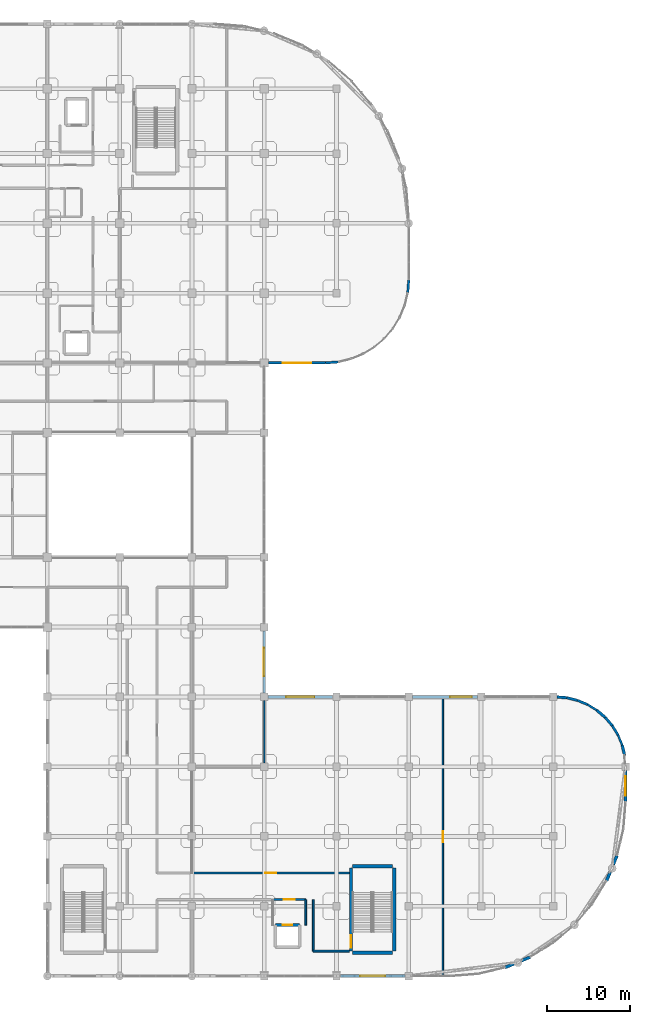
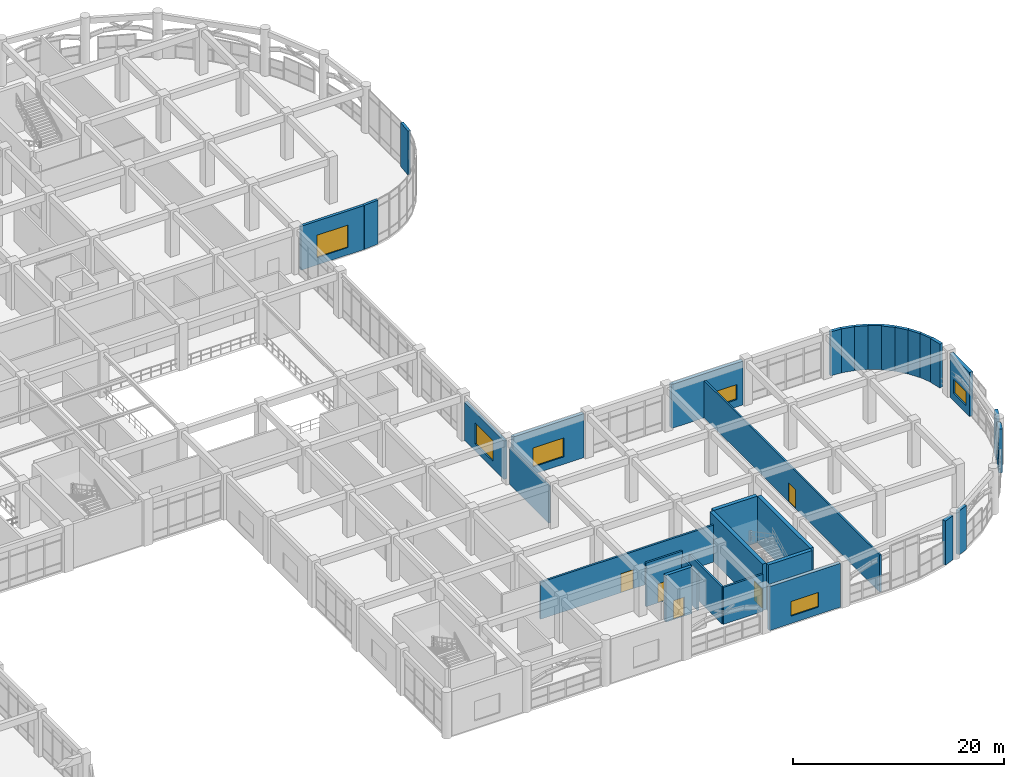
# One storey, part 100 of 114: 33 walls, 6 windows, 5 doors, 11 openings.
"""IFC4 building model written with IfcOpenShell, lengths in metres."""

from ifc_helpers import new_model, si_unit, derived_unit, direction, frame, frame_2d, origin, place, context, subcontext, project, spatial, rectangle, extrude, material, layer, layer_set, type_object, element, fill, save


model = new_model("IFC4")

# Units and contexts
model_context = context("Model", 3, precision=1e-05, world=origin(), true_north=direction((0.0, 1.0)))
body_context = subcontext(model_context, "Body", "Model", "MODEL_VIEW")
ifc_project = project(units=[si_unit("LENGTHUNIT", "METRE"), si_unit("AREAUNIT", "SQUARE_METRE"), si_unit("VOLUMEUNIT", "CUBIC_METRE"), si_unit("PLANEANGLEUNIT", "RADIAN"), si_unit("MASSUNIT", "GRAM", prefix="KILO"), derived_unit("THERMALTRANSMITTANCEUNIT", [(si_unit("MASSUNIT", "GRAM", prefix="KILO"), 1), (si_unit("TIMEUNIT", "SECOND"), -3), (si_unit("THERMODYNAMICTEMPERATUREUNIT", "KELVIN"), -1)])], contexts=[model_context])

# Site, building, storey
site_placement = place(None, origin())
site = spatial("IfcSite", under=ifc_project, at=site_placement, CompositionType="ELEMENT")
building_placement = place(site_placement, origin())
building = spatial("IfcBuilding", under=site, at=building_placement, Name="Qinzheling Arcade Emporium", CompositionType="ELEMENT")
storey_placement = place(building_placement, frame((0.0, 0.0, 6.0)))
storey = spatial("IfcBuildingStorey", under=building, at=storey_placement, Name="L02", CompositionType="ELEMENT", Elevation=6.0)

# Wall, opening, door
ifc_material_1 = material(Name="Double-stud acoustic gypsum board partition")
ifc_layer_1 = layer(ifc_material_1, 0.215087890625, Name="Double-stud acoustic gypsum board partition")
ifc_layer_set_1 = layer_set([ifc_layer_1], Name="Double-stud acoustic gypsum board partition")
wall_type_1 = type_object("IfcWallType", Name="Acoustic Corridor Partition Wall 215", PredefinedType="PARTITIONING", material=ifc_layer_set_1)
wall_1_placement = place(storey_placement, frame((131.5, 9.199951171875, 0.0), z_axis=(0.0, 0.0, 1.0), x_axis=(1.0, 0.0, 0.0)))
wall_1 = element("IfcWall", 1, at=wall_1_placement, inside=storey, type_object=wall_type_1, Name="Interior Wall WL-L02-INT-0286", PredefinedType="PARTITIONING", context=body_context, shape_type="SweptSolid", body=[
    extrude(rectangle(XDim=4.0, YDim=0.215087890625, at=frame_2d((2.0, 0.0))), origin(), (0.0, 0.0, 1.0), 5.06005859375),
])
opening_1_placement = place(wall_1_placement, frame((1.324951171875, 0.0, 0.0)))
opening_1 = element("IfcOpeningElement", 2, at=opening_1_placement, cuts=wall_1, Name="Opening FD05", PredefinedType="OPENING", context=body_context, shape_type="SweptSolid", body=[
    extrude(rectangle(XDim=1.35009765625, YDim=2.199951171875, at=frame_2d((0.675048828125, 1.10009765625))), frame((0.0, 0.11767578125, 0.0), z_axis=(0.0, -1.0, 0.0), x_axis=(1.0, 0.0, 0.0)), (0.0, 0.0, 1.0), 0.235107421875),
])
ifc_material_2 = material(Name="Class B fire-rated stainless-clad door")
door_type_1 = type_object("IfcDoorType", Name="Kitchen Fire-Rated Service Door 1350x2200", OperationType="NOTDEFINED", PredefinedType="DOOR", material=ifc_material_2)
door_1_placement = place(opening_1_placement, origin())
door_1 = element("IfcDoor", 3, at=door_1_placement, inside=storey, type_object=door_type_1, Name="FD05 Interior Door DR-L02-INT-0081", OperationType="SINGLE_SWING_RIGHT", OverallHeight=2.199951171875, OverallWidth=1.35009765625, PredefinedType="DOOR", context=body_context, shape_type="SweptSolid", body=[
    extrude(rectangle(XDim=1.35009765625, YDim=2.199951171875, at=frame_2d((0.675048828125, 1.10009765625))), frame((0.0, 0.02490234375, 0.0), z_axis=(0.0, -1.0, 0.0), x_axis=(1.0, 0.0, 0.0)), (0.0, 0.0, 1.0), 0.050048828125),
])
fill(opening_1, door_1)

wall_2_placement = place(storey_placement, frame((121.800048828125, 12.39990234375, 0.0), z_axis=(0.0, 0.0, 1.0), x_axis=(1.0, 0.0, 0.0)))
wall_2 = element("IfcWall", 4, at=wall_2_placement, inside=storey, type_object=wall_type_1, Name="Interior Wall WL-L02-INT-0359", PredefinedType="PARTITIONING", context=body_context, shape_type="SweptSolid", body=[
    extrude(rectangle(XDim=18.949951171875, YDim=0.215087890625, at=frame_2d((9.47509765625, 0.0))), origin(), (0.0, 0.0, 1.0), 4.294921875),
])
opening_2_placement = place(wall_2_placement, frame((8.800048828125, 0.0, 0.0)))
opening_2 = element("IfcOpeningElement", 5, at=opening_2_placement, cuts=wall_2, Name="Opening FD05", PredefinedType="OPENING", context=body_context, shape_type="SweptSolid", body=[
    extrude(rectangle(XDim=1.35009765625, YDim=2.199951171875, at=frame_2d((0.675048828125, 1.10009765625))), frame((0.0, 0.11767578125, 0.0), z_axis=(0.0, -1.0, 0.0), x_axis=(1.0, 0.0, 0.0)), (0.0, 0.0, 1.0), 0.235107421875),
])
door_2_placement = place(opening_2_placement, origin())
door_2 = element("IfcDoor", 6, at=door_2_placement, inside=storey, type_object=door_type_1, Name="FD05 Interior Door DR-L02-INT-0106", OperationType="SINGLE_SWING_LEFT", OverallHeight=2.199951171875, OverallWidth=1.35009765625, PredefinedType="DOOR", context=body_context, shape_type="SweptSolid", body=[
    extrude(rectangle(XDim=1.35009765625, YDim=2.199951171875, at=frame_2d((0.675048828125, 1.10009765625))), frame((0.0, 0.02490234375, 0.0), z_axis=(0.0, -1.0, 0.0), x_axis=(1.0, 0.0, 0.0)), (0.0, 0.0, 1.0), 0.050048828125),
])
fill(opening_2, door_2)

# Walls
wall_3_placement = place(storey_placement, frame((140.75, 3.0, 0.0), z_axis=(0.0, 0.0, 1.0), x_axis=(-1.0, 0.0, 0.0)))
element("IfcWall", 7, at=wall_3_placement, inside=storey, type_object=wall_type_1, Name="Interior Wall WL-L02-INT-0360", PredefinedType="PARTITIONING", context=body_context, shape_type="SweptSolid", body=[
    extrude(rectangle(XDim=4.35009765625, YDim=0.215087890625, at=frame_2d((2.175048828125, 0.0))), origin(), (0.0, 0.0, 1.0), 4.294921875),
])
wall_4_placement = place(storey_placement, frame((136.39990234375, 3.0, 0.0), z_axis=(0.0, 0.0, 1.0), x_axis=(0.0, 1.0, 0.0)))
element("IfcWall", 8, at=wall_4_placement, inside=storey, type_object=wall_type_1, Name="Interior Wall WL-L02-INT-0361", PredefinedType="PARTITIONING", context=body_context, shape_type="SweptSolid", body=[
    extrude(rectangle(XDim=6.199951171875, YDim=0.215087890625, at=frame_2d((3.10009765625, 0.0))), origin(), (0.0, 0.0, 1.0), 4.294921875),
])
ifc_material_3 = material(Name="Insulated aluminium-clad spandrel wall", Category="aluminium")
ifc_layer_2 = layer(ifc_material_3, 0.260009765625, Name="Insulated aluminium-clad spandrel wall", Category="aluminium")
ifc_layer_set_2 = layer_set([ifc_layer_2], Name="Insulated aluminium-clad spandrel wall")
wall_type_2 = type_object("IfcWallType", Name="Arcade Clerestory Spandrel Wall 260", PredefinedType="STANDARD", material=ifc_layer_set_2)
wall_5_placement = place(storey_placement, frame((169.4140625, 32.68408203125, 0.0), z_axis=(0.0, 0.0, 1.0), x_axis=(0.852713129378, -0.522379477954, 0.0)))
element("IfcWall", 9, at=wall_5_placement, inside=storey, type_object=wall_type_2, Name="Exterior Wall WL-L02-EW-0082", PredefinedType="STANDARD", context=body_context, shape_type="SweptSolid", body=[
    extrude(rectangle(XDim=1.317138671875, YDim=0.260009765625, at=frame_2d((0.65869140625, 0.0))), origin(), (0.0, 0.0, 1.0), 5.090087890625),
])
wall_6_placement = place(storey_placement, frame((173.083984375, 29.013916015625, 0.0), z_axis=(0.0, 0.0, 1.0), x_axis=(0.383076676071, -0.923716547568, 0.0)))
element("IfcWall", 10, at=wall_6_placement, inside=storey, type_object=wall_type_2, Name="Exterior Wall WL-L02-EW-0086", PredefinedType="STANDARD", context=body_context, shape_type="SweptSolid", body=[
    extrude(rectangle(XDim=1.318603515625, YDim=0.260009765625, at=frame_2d((0.6591796875, 0.0))), origin(), (0.0, 0.0, 1.0), 5.090087890625),
])
ifc_material_4 = material(Name="Demountable aluminium-and-gypsum retail partition", Category="aluminium")
ifc_layer_3 = layer(ifc_material_4, 0.1650390625, Name="Demountable aluminium-and-gypsum retail partition", Category="aluminium")
ifc_layer_set_3 = layer_set([ifc_layer_3], Name="Demountable aluminium-and-gypsum retail partition")
wall_type_3 = type_object("IfcWallType", Name="Boutique Demountable Partition Wall 165", PredefinedType="PARTITIONING", material=ifc_layer_set_3)
wall_7_placement = place(storey_placement, frame((130.5, 33.139892578125, 0.0), z_axis=(0.0, 0.0, 1.0), x_axis=(0.0, -1.0, 0.0)))
element("IfcWall", 11, at=wall_7_placement, inside=storey, type_object=wall_type_3, Name="Interior Wall WL-L02-INT-0408", PredefinedType="PARTITIONING", context=body_context, shape_type="SweptSolid", body=[
    extrude(rectangle(XDim=7.47998046875, YDim=0.1650390625, at=frame_2d((3.739990234375, 0.0))), origin(), (0.0, 0.0, 1.0), 4.294921875),
])
ifc_material_5 = material(Name="Celadon glazed terracotta insulated spandrel", Category="masonry")
ifc_layer_4 = layer(ifc_material_5, 0.340087890625, Name="Celadon glazed terracotta insulated spandrel", Category="masonry")
ifc_layer_set_4 = layer_set([ifc_layer_4], Name="Celadon glazed terracotta insulated spandrel")
wall_type_4 = type_object("IfcWallType", Name="Celadon Spandrel Infill Wall 340", PredefinedType="STANDARD", material=ifc_layer_set_4)
wall_8_placement = place(storey_placement, frame((170.537109375, 31.99609375, 0.0), z_axis=(0.0, 0.0, 1.0), x_axis=(0.760548893266, -0.649280664237, 0.0)))
element("IfcWall", 12, at=wall_8_placement, inside=storey, type_object=wall_type_4, Name="Exterior Wall WL-L02-EW-0083", PredefinedType="STANDARD", context=body_context, shape_type="SweptSolid", body=[
    extrude(rectangle(XDim=1.318603515625, YDim=0.340087890625, at=frame_2d((0.6591796875, 0.0))), origin(), (0.0, 0.0, 1.0), 5.090087890625),
])
wall_9_placement = place(storey_placement, frame((173.589111328125, 27.7958984375, 0.0), z_axis=(0.0, 0.0, 1.0), x_axis=(0.233506018754, -0.972355356444, 0.0)))
element("IfcWall", 13, at=wall_9_placement, inside=storey, type_object=wall_type_4, Name="Exterior Wall WL-L02-EW-0087", PredefinedType="STANDARD", context=body_context, shape_type="SweptSolid", body=[
    extrude(rectangle(XDim=1.318359375, YDim=0.340087890625, at=frame_2d((0.6591796875, 0.0))), origin(), (0.0, 0.0, 1.0), 5.090087890625),
])
wall_10_placement = place(storey_placement, frame((165.751953125, 33.587890625, 0.0), z_axis=(0.0, 0.0, 1.0), x_axis=(0.996960108053, -0.077913689117, 0.0)))
element("IfcWall", 14, at=wall_10_placement, inside=storey, type_object=wall_type_4, Name="Exterior Wall WL-L02-EW-0139", PredefinedType="STANDARD", context=body_context, shape_type="SweptSolid", body=[
    extrude(rectangle(XDim=1.165771484375, YDim=0.340087890625, at=frame_2d((0.5830078125, 0.0))), origin(), (0.0, 0.0, 1.0), 5.090087890625),
])
ifc_material_6 = material(Name="Glazed cream terracotta insulated wall", Category="masonry")
ifc_layer_5 = layer(ifc_material_6, 0.320068359375, Name="Glazed cream terracotta insulated wall", Category="masonry")
ifc_layer_set_5 = layer_set([ifc_layer_5], Name="Glazed cream terracotta insulated wall")
wall_type_5 = type_object("IfcWallType", Name="Chicago Frame Infill Wall 320", PredefinedType="STANDARD", material=ifc_layer_set_5)
for number, where, z_axis, x_axis, name in (
    (15, (166.9140625, 33.4970703125, 0.0), (0.0, 0.0, 1.0), (0.972313298303, -0.233681085976, 0.0), "Exterior Wall WL-L02-EW-0080"),
    (16, (171.5400390625, 31.139892578125, 0.0), (0.0, 0.0, 1.0), (0.649173554417, -0.760640319893, 0.0), "Exterior Wall WL-L02-EW-0084"),
):
    element("IfcWall", number, at=place(storey_placement, frame(where, z_axis=z_axis, x_axis=x_axis)), inside=storey, type_object=wall_type_5, Name=name, PredefinedType="STANDARD", context=body_context, shape_type="SweptSolid", body=[
        extrude(rectangle(XDim=1.318603515625, YDim=0.320068359375, at=frame_2d((0.6591796875, 0.0))), origin(), (0.0, 0.0, 1.0), 5.090087890625),
    ])

# Wall, opening, window
wall_11_placement = place(storey_placement, frame((130.5, 41.548095703125, 0.0), z_axis=(0.0, 0.0, 1.0), x_axis=(0.0, -1.0, 0.0)))
wall_11 = element("IfcWall", 17, at=wall_11_placement, inside=storey, type_object=wall_type_5, Name="Exterior Wall WL-L02-EW-0136", PredefinedType="STANDARD", context=body_context, shape_type="SweptSolid", body=[
    extrude(rectangle(XDim=7.49609375, YDim=0.320068359375, at=frame_2d((3.748046875, 0.0))), origin(), (0.0, 0.0, 1.0), 4.455078125),
])
opening_3_placement = place(wall_11_placement, frame((2.048095703125, 0.0, 0.85009765625)))
opening_3 = element("IfcOpeningElement", 18, at=opening_3_placement, cuts=wall_11, Name="Opening WN30", PredefinedType="OPENING", context=body_context, shape_type="SweptSolid", body=[
    extrude(rectangle(XDim=3.39990234375, YDim=2.39990234375, at=frame_2d((1.699951171875, 1.199951171875))), frame((0.0, 0.169921875, 0.0), z_axis=(0.0, -1.0, 0.0), x_axis=(1.0, 0.0, 0.0)), (0.0, 0.0, 1.0), 0.340087890625),
])
ifc_material_7 = material(Name="Thermally broken aluminium frame with solar-control double glazing", Category="aluminium")
window_type_1 = type_object("IfcWindowType", Name="Chicago Tripartite Window 3400x2400", PartitioningType="TRIPLE_PANEL_VERTICAL", PredefinedType="WINDOW", material=ifc_material_7)
window_1_placement = place(opening_3_placement, origin())
window_1 = element("IfcWindow", 19, at=window_1_placement, inside=storey, type_object=window_type_1, Name="WN30 Window WN-L02-0034", OverallHeight=2.39990234375, OverallWidth=3.39990234375, PartitioningType="TRIPLE_PANEL_VERTICAL", PredefinedType="WINDOW", context=body_context, shape_type="SweptSolid", body=[
    extrude(rectangle(XDim=3.39990234375, YDim=2.39990234375, at=frame_2d((1.699951171875, 1.199951171875))), frame((0.0, 0.030029296875, 0.0), z_axis=(0.0, -1.0, 0.0), x_axis=(1.0, 0.0, 0.0)), (0.0, 0.0, 1.0), 0.06005859375),
])
fill(opening_3, window_1)

# Wall, opening, door
ifc_material_8 = material(Name="Ceramic-tiled cement-board partition")
ifc_layer_6 = layer(ifc_material_8, 0.18505859375, Name="Ceramic-tiled cement-board partition")
ifc_layer_set_6 = layer_set([ifc_layer_6], Name="Ceramic-tiled cement-board partition")
wall_type_6 = type_object("IfcWallType", Name="Food Hall Kitchen Partition Wall 185", PredefinedType="PARTITIONING", material=ifc_layer_set_6)
wall_12_placement = place(storey_placement, frame((152.0, 33.405029296875, 0.0), z_axis=(0.0, 0.0, 1.0), x_axis=(0.0, -1.0, 0.0)))
wall_12 = element("IfcWall", 20, at=wall_12_placement, inside=storey, type_object=wall_type_6, Name="Interior Wall WL-L02-INT-0414", PredefinedType="PARTITIONING", context=body_context, shape_type="SweptSolid", body=[
    extrude(rectangle(XDim=33.304931640625, YDim=0.18505859375, at=frame_2d((16.65234375, 0.0))), origin(), (0.0, 0.0, 1.0), 4.294921875),
])
opening_4_placement = place(wall_12_placement, frame((15.97705078125, 0.0, 0.0)))
opening_4 = element("IfcOpeningElement", 21, at=opening_4_placement, cuts=wall_12, Name="Opening FD05", PredefinedType="OPENING", context=body_context, shape_type="SweptSolid", body=[
    extrude(rectangle(XDim=1.35009765625, YDim=2.199951171875, at=frame_2d((0.675048828125, 1.10009765625))), frame((0.0, 0.1025390625, 0.0), z_axis=(0.0, -1.0, 0.0), x_axis=(1.0, 0.0, 0.0)), (0.0, 0.0, 1.0), 0.205078125),
])
door_3_placement = place(opening_4_placement, origin())
door_3 = element("IfcDoor", 22, at=door_3_placement, inside=storey, type_object=door_type_1, Name="FD05 Interior Door DR-L02-INT-0107", OperationType="SINGLE_SWING_RIGHT", OverallHeight=2.199951171875, OverallWidth=1.35009765625, PredefinedType="DOOR", context=body_context, shape_type="SweptSolid", body=[
    extrude(rectangle(XDim=1.35009765625, YDim=2.199951171875, at=frame_2d((0.675048828125, 1.10009765625))), frame((0.0, 0.02490234375, 0.0), z_axis=(0.0, -1.0, 0.0), x_axis=(1.0, 0.0, 0.0)), (0.0, 0.0, 1.0), 0.050048828125),
])
fill(opening_4, door_3)

# Wall
ifc_material_9 = material(Name="Acoustic gypsum gallery partition")
ifc_layer_7 = layer(ifc_material_9, 0.205078125, Name="Acoustic gypsum gallery partition")
ifc_layer_set_7 = layer_set([ifc_layer_7], Name="Acoustic gypsum gallery partition")
wall_type_7 = type_object("IfcWallType", Name="Gallery Display Partition Wall 205", PredefinedType="PARTITIONING", material=ifc_layer_set_7)
wall_13_placement = place(storey_placement, frame((135.5, 9.199951171875, 0.0), z_axis=(0.0, 0.0, 1.0), x_axis=(0.0, -1.0, 0.0)))
element("IfcWall", 23, at=wall_13_placement, inside=storey, type_object=wall_type_7, Name="Interior Wall WL-L02-INT-0288", PredefinedType="PARTITIONING", context=body_context, shape_type="SweptSolid", body=[
    extrude(rectangle(XDim=3.070068359375, YDim=0.205078125, at=frame_2d((1.53515625, 0.0))), origin(), (0.0, 0.0, 1.0), 4.294921875),
])

# Wall, opening, window
ifc_material_10 = material(Name="Glazed cream terracotta on Concrete C40", Category="masonry")
ifc_layer_8 = layer(ifc_material_10, 0.3798828125, Name="Glazed cream terracotta on Concrete C40", Category="masonry")
ifc_layer_set_8 = layer_set([ifc_layer_8], Name="Glazed cream terracotta on Concrete C40")
wall_type_8 = type_object("IfcWallType", Name="Glazed Cream Terracotta Structural Wall 380", PredefinedType="STANDARD", material=ifc_layer_set_8)
wall_14_placement = place(storey_placement, frame((174.0, 24.748046875, 0.0), z_axis=(0.0, 0.0, 1.0), x_axis=(0.0, -1.0, 0.0)))
wall_14 = element("IfcWall", 24, at=wall_14_placement, inside=storey, type_object=wall_type_8, Name="Exterior Wall WL-L02-EW-0088", PredefinedType="STANDARD", context=body_context, shape_type="SweptSolid", body=[
    extrude(rectangle(XDim=3.748046875, YDim=0.3798828125, at=frame_2d((1.8740234375, 0.0))), origin(), (0.0, 0.0, 1.0), 5.090087890625),
])
opening_5_placement = place(wall_14_placement, frame((0.674072265625, 0.0, 0.85009765625)))
opening_5 = element("IfcOpeningElement", 25, at=opening_5_placement, cuts=wall_14, Name="Opening WN56", PredefinedType="OPENING", context=body_context, shape_type="SweptSolid", body=[
    extrude(rectangle(XDim=2.39990234375, YDim=1.64990234375, at=frame_2d((1.199951171875, 0.824951171875))), frame((0.0, 0.199951171875, 0.0), z_axis=(0.0, -1.0, 0.0), x_axis=(1.0, 0.0, 0.0)), (0.0, 0.0, 1.0), 0.39990234375),
])
window_type_2 = type_object("IfcWindowType", Name="Chicago Tripartite Window 2400x1650", PartitioningType="TRIPLE_PANEL_VERTICAL", PredefinedType="WINDOW", material=ifc_material_7)
window_2_placement = place(opening_5_placement, origin())
window_2 = element("IfcWindow", 26, at=window_2_placement, inside=storey, type_object=window_type_2, Name="WN56 Window WN-L02-0018", OverallHeight=1.64990234375, OverallWidth=2.39990234375, PartitioningType="TRIPLE_PANEL_VERTICAL", PredefinedType="WINDOW", context=body_context, shape_type="SweptSolid", body=[
    extrude(rectangle(XDim=2.39990234375, YDim=1.64990234375, at=frame_2d((1.199951171875, 0.824951171875))), frame((0.0, 0.030029296875, 0.0), z_axis=(0.0, -1.0, 0.0), x_axis=(1.0, 0.0, 0.0)), (0.0, 0.0, 1.0), 0.06005859375),
])
fill(opening_5, window_2)

# Walls
for number, where, z_axis, x_axis, name in (
    (27, (172.158935546875, 12.548095703125, 0.0), (0.0, 0.0, 1.0), (-0.382542052981, -0.923938081097, 0.0), "Exterior Wall WL-L02-EW-0090"),
    (28, (160.571044921875, 1.47607421875, 0.0), (0.0, 0.0, 1.0), (-0.923938081097, -0.382542052981, 0.0), "Exterior Wall WL-L02-EW-0092"),
):
    element("IfcWall", number, at=place(storey_placement, frame(where, z_axis=z_axis, x_axis=x_axis)), inside=storey, type_object=wall_type_8, Name=name, PredefinedType="STANDARD", context=body_context, shape_type="SweptSolid", body=[
        extrude(rectangle(XDim=1.171142578125, YDim=0.3798828125, at=frame_2d((0.58544921875, 0.0))), origin(), (0.0, 0.0, 1.0), 5.090087890625),
    ])

# Wall, opening, window
wall_15_placement = place(storey_placement, frame((148.35205078125, 33.60009765625, 0.0), z_axis=(0.0, 0.0, 1.0), x_axis=(1.0, 0.0, 0.0)))
wall_15 = element("IfcWall", 29, at=wall_15_placement, inside=storey, type_object=wall_type_8, Name="Exterior Wall WL-L02-EW-0138", PredefinedType="STANDARD", context=body_context, shape_type="SweptSolid", body=[
    extrude(rectangle(XDim=7.7958984375, YDim=0.3798828125, at=frame_2d((3.89794921875, 0.0))), origin(), (0.0, 0.0, 1.0), 5.090087890625),
])
opening_6_placement = place(wall_15_placement, frame((4.534912109375, 0.0, 0.85009765625)))
opening_6 = element("IfcOpeningElement", 30, at=opening_6_placement, cuts=wall_15, Name="Opening WN52", PredefinedType="OPENING", context=body_context, shape_type="SweptSolid", body=[
    extrude(rectangle(XDim=2.60009765625, YDim=1.75, at=frame_2d((1.300048828125, 0.875))), frame((0.0, 0.199951171875, 0.0), z_axis=(0.0, -1.0, 0.0), x_axis=(1.0, 0.0, 0.0)), (0.0, 0.0, 1.0), 0.39990234375),
])
window_type_3 = type_object("IfcWindowType", Name="Chicago Tripartite Window 2600x1750", PartitioningType="TRIPLE_PANEL_VERTICAL", PredefinedType="WINDOW", material=ifc_material_7)
window_3_placement = place(opening_6_placement, origin())
window_3 = element("IfcWindow", 31, at=window_3_placement, inside=storey, type_object=window_type_3, Name="WN52 Window WN-L02-0036", OverallHeight=1.75, OverallWidth=2.60009765625, PartitioningType="TRIPLE_PANEL_VERTICAL", PredefinedType="WINDOW", context=body_context, shape_type="SweptSolid", body=[
    extrude(rectangle(XDim=2.60009765625, YDim=1.75, at=frame_2d((1.300048828125, 0.875))), frame((0.0, 0.030029296875, 0.0), z_axis=(0.0, -1.0, 0.0), x_axis=(1.0, 0.0, 0.0)), (0.0, 0.0, 1.0), 0.06005859375),
])
fill(opening_6, window_3)

# Walls
ifc_layer_9 = layer(ifc_material_10, 0.360107421875, Name="Glazed cream terracotta on Concrete C40", Category="masonry")
ifc_layer_set_9 = layer_set([ifc_layer_9], Name="Glazed cream terracotta on Concrete C40")
wall_type_9 = type_object("IfcWallType", Name="Glazed Terracotta Pier Wall 360", PredefinedType="STANDARD", material=ifc_layer_set_9)
for number, where, z_axis, x_axis, name in (
    (32, (172.971923828125, 14.510986328125, 0.0), (0.0, 0.0, 1.0), (-0.382542052981, -0.923938081097, 0.0), "Exterior Wall WL-L02-EW-0089"),
    (33, (162.533935546875, 2.2890625, 0.0), (0.0, 0.0, 1.0), (-0.923938081097, -0.382542052981, 0.0), "Exterior Wall WL-L02-EW-0091"),
):
    element("IfcWall", number, at=place(storey_placement, frame(where, z_axis=z_axis, x_axis=x_axis)), inside=storey, type_object=wall_type_9, Name=name, PredefinedType="STANDARD", context=body_context, shape_type="SweptSolid", body=[
        extrude(rectangle(XDim=1.171142578125, YDim=0.360107421875, at=frame_2d((0.58544921875, 0.0))), origin(), (0.0, 0.0, 1.0), 5.090087890625),
    ])

# Wall, opening, window
wall_16_placement = place(storey_placement, frame((147.447998046875, 0.0, 0.0), z_axis=(0.0, 0.0, 1.0), x_axis=(-1.0, 0.0, 0.0)))
wall_16 = element("IfcWall", 34, at=wall_16_placement, inside=storey, type_object=wall_type_9, Name="Exterior Wall WL-L02-EW-0093", PredefinedType="STANDARD", context=body_context, shape_type="SweptSolid", body=[
    extrude(rectangle(XDim=7.7958984375, YDim=0.360107421875, at=frame_2d((3.89794921875, 0.0))), origin(), (0.0, 0.0, 1.0), 5.090087890625),
])
opening_7_placement = place(wall_16_placement, frame((2.39794921875, 0.0, 0.85009765625)))
opening_7 = element("IfcOpeningElement", 35, at=opening_7_placement, cuts=wall_16, Name="Opening WN43", PredefinedType="OPENING", context=body_context, shape_type="SweptSolid", body=[
    extrude(rectangle(XDim=3.0, YDim=1.699951171875, at=frame_2d((1.5, 0.85009765625))), frame((0.0, 0.18994140625, 0.0), z_axis=(0.0, -1.0, 0.0), x_axis=(1.0, 0.0, 0.0)), (0.0, 0.0, 1.0), 0.380126953125),
])
window_type_4 = type_object("IfcWindowType", Name="Chicago Tripartite Window 3000x1700", PartitioningType="TRIPLE_PANEL_VERTICAL", PredefinedType="WINDOW", material=ifc_material_7)
window_4_placement = place(opening_7_placement, origin())
window_4 = element("IfcWindow", 36, at=window_4_placement, inside=storey, type_object=window_type_4, Name="WN43 Window WN-L02-0019", OverallHeight=1.699951171875, OverallWidth=3.0, PartitioningType="TRIPLE_PANEL_VERTICAL", PredefinedType="WINDOW", context=body_context, shape_type="SweptSolid", body=[
    extrude(rectangle(XDim=3.0, YDim=1.699951171875, at=frame_2d((1.5, 0.85009765625))), frame((0.0, 0.030029296875, 0.0), z_axis=(0.0, -1.0, 0.0), x_axis=(1.0, 0.0, 0.0)), (0.0, 0.0, 1.0), 0.06005859375),
])
fill(opening_7, window_4)

wall_17_placement = place(storey_placement, frame((130.951904296875, 33.60009765625, 0.0), z_axis=(0.0, 0.0, 1.0), x_axis=(1.0, 0.0, 0.0)))
wall_17 = element("IfcWall", 37, at=wall_17_placement, inside=storey, type_object=wall_type_9, Name="Exterior Wall WL-L02-EW-0137", PredefinedType="STANDARD", context=body_context, shape_type="SweptSolid", body=[
    extrude(rectangle(XDim=7.796142578125, YDim=0.360107421875, at=frame_2d((3.89794921875, 0.0))), origin(), (0.0, 0.0, 1.0), 5.090087890625),
])
opening_8_placement = place(wall_17_placement, frame((2.197998046875, 0.0, 0.85009765625)))
opening_8 = element("IfcOpeningElement", 38, at=opening_8_placement, cuts=wall_17, Name="Opening WN31", PredefinedType="OPENING", context=body_context, shape_type="SweptSolid", body=[
    extrude(rectangle(XDim=3.39990234375, YDim=2.199951171875, at=frame_2d((1.699951171875, 1.10009765625))), frame((0.0, 0.18994140625, 0.0), z_axis=(0.0, -1.0, 0.0), x_axis=(1.0, 0.0, 0.0)), (0.0, 0.0, 1.0), 0.380126953125),
])
window_type_5 = type_object("IfcWindowType", Name="Chicago Tripartite Window 3400x2200", PartitioningType="TRIPLE_PANEL_VERTICAL", PredefinedType="WINDOW", material=ifc_material_7)
window_5_placement = place(opening_8_placement, origin())
window_5 = element("IfcWindow", 39, at=window_5_placement, inside=storey, type_object=window_type_5, Name="WN31 Window WN-L02-0035", OverallHeight=2.199951171875, OverallWidth=3.39990234375, PartitioningType="TRIPLE_PANEL_VERTICAL", PredefinedType="WINDOW", context=body_context, shape_type="SweptSolid", body=[
    extrude(rectangle(XDim=3.39990234375, YDim=2.199951171875, at=frame_2d((1.699951171875, 1.10009765625))), frame((0.0, 0.030029296875, 0.0), z_axis=(0.0, -1.0, 0.0), x_axis=(1.0, 0.0, 0.0)), (0.0, 0.0, 1.0), 0.06005859375),
])
fill(opening_8, window_5)

# Walls
ifc_material_11 = material(Name="Buff glazed terracotta insulated wall", Category="masonry")
ifc_layer_10 = layer(ifc_material_11, 0.2900390625, Name="Buff glazed terracotta insulated wall", Category="masonry")
ifc_layer_set_10 = layer_set([ifc_layer_10], Name="Buff glazed terracotta insulated wall")
wall_type_10 = type_object("IfcWallType", Name="Office Bar Terracotta Wall 290", PredefinedType="STANDARD", material=ifc_layer_set_10)
wall_18_placement = place(storey_placement, frame((147.89990234375, 83.800048828125, 0.0), z_axis=(0.0, 0.0, 1.0), x_axis=(-0.078279196428, -0.996931475783, 0.0)))
element("IfcWall", 40, at=wall_18_placement, inside=storey, type_object=wall_type_10, Name="Exterior Wall WL-L02-EW-0133", PredefinedType="STANDARD", context=body_context, shape_type="SweptSolid", body=[
    extrude(rectangle(XDim=1.56884765625, YDim=0.2900390625, at=frame_2d((0.784423828125, 0.0))), origin(), (0.0, 0.0, 1.0), 5.090087890625),
])
wall_19_placement = place(storey_placement, frame((139.464111328125, 73.923095703125, 0.0), z_axis=(0.0, 0.0, 1.0), x_axis=(-0.99692027629, -0.078421698026, 0.0)))
element("IfcWall", 41, at=wall_19_placement, inside=storey, type_object=wall_type_10, Name="Exterior Wall WL-L02-EW-0134", PredefinedType="STANDARD", context=body_context, shape_type="SweptSolid", body=[
    extrude(rectangle(XDim=1.569091796875, YDim=0.2900390625, at=frame_2d((0.78466796875, 0.0))), origin(), (0.0, 0.0, 1.0), 5.090087890625),
])

# Wall, opening, window
wall_20_placement = place(storey_placement, frame((137.89990234375, 73.800048828125, 0.0), z_axis=(0.0, 0.0, 1.0), x_axis=(-1.0, 0.0, 0.0)))
wall_20 = element("IfcWall", 42, at=wall_20_placement, inside=storey, type_object=wall_type_10, Name="Exterior Wall WL-L02-EW-0135", PredefinedType="STANDARD", context=body_context, shape_type="SweptSolid", body=[
    extrude(rectangle(XDim=6.89794921875, YDim=0.2900390625, at=frame_2d((3.448974609375, 0.0))), origin(), (0.0, 0.0, 1.0), 5.090087890625),
])
opening_9_placement = place(wall_20_placement, frame((1.7490234375, 0.0, 0.85009765625)))
opening_9 = element("IfcOpeningElement", 43, at=opening_9_placement, cuts=wall_20, Name="Opening WN29", PredefinedType="OPENING", context=body_context, shape_type="SweptSolid", body=[
    extrude(rectangle(XDim=3.39990234375, YDim=2.60009765625, at=frame_2d((1.699951171875, 1.300048828125))), frame((0.0, 0.155029296875, 0.0), z_axis=(0.0, -1.0, 0.0), x_axis=(1.0, 0.0, 0.0)), (0.0, 0.0, 1.0), 0.31005859375),
])
window_type_6 = type_object("IfcWindowType", Name="Chicago Tripartite Window 3400x2600", PartitioningType="TRIPLE_PANEL_VERTICAL", PredefinedType="WINDOW", material=ifc_material_7)
window_6_placement = place(opening_9_placement, origin())
window_6 = element("IfcWindow", 44, at=window_6_placement, inside=storey, type_object=window_type_6, Name="WN29 Window WN-L02-0033", OverallHeight=2.60009765625, OverallWidth=3.39990234375, PartitioningType="TRIPLE_PANEL_VERTICAL", PredefinedType="WINDOW", context=body_context, shape_type="SweptSolid", body=[
    extrude(rectangle(XDim=3.39990234375, YDim=2.60009765625, at=frame_2d((1.699951171875, 1.300048828125))), frame((0.0, 0.030029296875, 0.0), z_axis=(0.0, -1.0, 0.0), x_axis=(1.0, 0.0, 0.0)), (0.0, 0.0, 1.0), 0.06005859375),
])
fill(opening_9, window_6)

# Wall, opening, door
ifc_material_12 = material(Name="Concrete C40", Category="concrete")
ifc_layer_11 = layer(ifc_material_12, 0.35009765625, Name="Concrete C40", Category="concrete")
ifc_layer_set_11 = layer_set([ifc_layer_11], Name="Concrete C40")
wall_type_11 = type_object("IfcWallType", Name="RC Lift Shaft Shear Wall 350 C40", PredefinedType="SHEAR", material=ifc_layer_set_11)
wall_21_placement = place(storey_placement, frame((131.875, 6.125, 0.0), z_axis=(0.0, 0.0, 1.0), x_axis=(1.0, 0.0, 0.0)))
wall_21 = element("IfcWall", 45, at=wall_21_placement, inside=storey, type_object=wall_type_11, Name="Lift Shaft Wall WL-L02-LFT-LP05-N", PredefinedType="SHEAR", context=body_context, shape_type="SweptSolid", body=[
    extrude(rectangle(XDim=2.85009765625, YDim=0.35009765625, at=frame_2d((1.425048828125, 0.0))), origin(), (0.0, 0.0, 1.0), 5.39990234375),
])
opening_10_placement = place(wall_21_placement, frame((0.824951171875, 0.0, 0.0)))
opening_10 = element("IfcOpeningElement", 46, at=opening_10_placement, cuts=wall_21, Name="Opening LD02", PredefinedType="OPENING", context=body_context, shape_type="SweptSolid", body=[
    extrude(rectangle(XDim=1.199951171875, YDim=2.199951171875, at=frame_2d((0.60009765625, 1.10009765625))), frame((0.0, 0.18505859375, 0.0), z_axis=(0.0, -1.0, 0.0), x_axis=(1.0, 0.0, 0.0)), (0.0, 0.0, 1.0), 0.3701171875),
])
ifc_material_13 = material(Name="Brushed bronze stainless sliding lift door")
door_type_2 = type_object("IfcDoorType", Name="Passenger Lift Sliding Landing Door 1200x2200", OperationType="DOUBLE_DOOR_SLIDING", PredefinedType="DOOR", material=ifc_material_13)
door_4_placement = place(opening_10_placement, origin())
door_4 = element("IfcDoor", 47, at=door_4_placement, inside=storey, type_object=door_type_2, Name="LD02 Lift Landing Door LP05 L02", OperationType="DOUBLE_DOOR_SLIDING", OverallHeight=2.199951171875, OverallWidth=1.199951171875, PredefinedType="DOOR", context=body_context, shape_type="SweptSolid", body=[
    extrude(rectangle(XDim=1.199951171875, YDim=2.199951171875, at=frame_2d((0.60009765625, 1.10009765625))), frame((0.0, 0.02490234375, 0.0), z_axis=(0.0, -1.0, 0.0), x_axis=(1.0, 0.0, 0.0)), (0.0, 0.0, 1.0), 0.050048828125),
])
fill(opening_10, door_4)

ifc_material_14 = material(Name="Concrete C50", Category="concrete")
ifc_layer_12 = layer(ifc_material_14, 0.39990234375, Name="Concrete C50", Category="concrete")
ifc_layer_set_12 = layer_set([ifc_layer_12], Name="Concrete C50")
wall_type_12 = type_object("IfcWallType", Name="RC Stair Core Shear Wall 400 C50", PredefinedType="SHEAR", material=ifc_layer_set_12)
wall_22_placement = place(storey_placement, frame((140.955078125, 3.0, 0.0), z_axis=(0.0, 0.0, 1.0), x_axis=(0.0, 1.0, 0.0)))
wall_22 = element("IfcWall", 48, at=wall_22_placement, inside=storey, type_object=wall_type_12, Name="Stair Core Wall WL-L02-ST06-WEST", PredefinedType="SHEAR", context=body_context, shape_type="SweptSolid", body=[
    extrude(rectangle(XDim=10.0, YDim=0.39990234375, at=frame_2d((5.0, 0.0))), origin(), (0.0, 0.0, 1.0), 5.39990234375),
])
opening_11_placement = place(wall_22_placement, frame((0.409912109375, 0.0, 0.0)))
opening_11 = element("IfcOpeningElement", 49, at=opening_11_placement, cuts=wall_22, Name="Opening FD01", PredefinedType="OPENING", context=body_context, shape_type="SweptSolid", body=[
    extrude(rectangle(XDim=1.5, YDim=2.199951171875, at=frame_2d((0.75, 1.10009765625))), frame((0.0, 0.2099609375, 0.0), z_axis=(0.0, -1.0, 0.0), x_axis=(1.0, 0.0, 0.0)), (0.0, 0.0, 1.0), 0.419921875),
])
ifc_material_15 = material(Name="Class A fire-rated steel double door", Category="steel")
door_type_3 = type_object("IfcDoorType", Name="Stairwell Smoke-Proof Fire Door 1500x2200", OperationType="DOUBLE_DOOR_SINGLE_SWING", PredefinedType="DOOR", material=ifc_material_15)
door_5_placement = place(opening_11_placement, origin())
door_5 = element("IfcDoor", 50, at=door_5_placement, inside=storey, type_object=door_type_3, Name="FD01 Stairwell Fire Door DR-L02-ST06-FD", OperationType="DOUBLE_DOOR_SINGLE_SWING", OverallHeight=2.199951171875, OverallWidth=1.5, PredefinedType="DOOR", context=body_context, shape_type="SweptSolid", body=[
    extrude(rectangle(XDim=1.5, YDim=2.199951171875, at=frame_2d((0.75, 1.10009765625))), frame((0.0, 0.02490234375, 0.0), z_axis=(0.0, -1.0, 0.0), x_axis=(1.0, 0.0, 0.0)), (0.0, 0.0, 1.0), 0.050048828125),
])
fill(opening_11, door_5)

# Walls
wall_23_placement = place(storey_placement, frame((146.14501953125, 13.0, 0.0), z_axis=(0.0, 0.0, 1.0), x_axis=(0.0, -1.0, 0.0)))
element("IfcWall", 51, at=wall_23_placement, inside=storey, type_object=wall_type_12, Name="Stair Core Wall WL-L02-ST06-EAST", PredefinedType="SHEAR", context=body_context, shape_type="SweptSolid", body=[
    extrude(rectangle(XDim=10.0, YDim=0.39990234375, at=frame_2d((5.0, 0.0))), origin(), (0.0, 0.0, 1.0), 5.39990234375),
])
for number, where, z_axis, x_axis, name in (
    (52, (145.945068359375, 2.800048828125, 0.0), (0.0, 0.0, 1.0), (-1.0, 0.0, 0.0), "Stair Core Wall WL-L02-ST06-SOUTH"),
    (53, (141.155029296875, 13.199951171875, 0.0), (0.0, 0.0, 1.0), (1.0, 0.0, 0.0), "Stair Core Wall WL-L02-ST06-NORTH"),
):
    element("IfcWall", number, at=place(storey_placement, frame(where, z_axis=z_axis, x_axis=x_axis)), inside=storey, type_object=wall_type_12, Name=name, PredefinedType="SHEAR", context=body_context, shape_type="SweptSolid", body=[
        extrude(rectangle(XDim=4.7900390625, YDim=0.39990234375, at=frame_2d((2.39501953125, 0.0))), origin(), (0.0, 0.0, 1.0), 5.39990234375),
    ])
ifc_layer_13 = layer(ifc_material_6, 0.300048828125, Name="Glazed cream terracotta insulated wall", Category="masonry")
ifc_layer_set_13 = layer_set([ifc_layer_13], Name="Glazed cream terracotta insulated wall")
wall_type_13 = type_object("IfcWallType", Name="Terrace Facade Infill Wall 300", PredefinedType="STANDARD", material=ifc_layer_set_13)
wall_24_placement = place(storey_placement, frame((168.196044921875, 33.18896484375, 0.0), z_axis=(0.0, 0.0, 1.0), x_axis=(0.923782055047, -0.382918679061, 0.0)))
element("IfcWall", 54, at=wall_24_placement, inside=storey, type_object=wall_type_13, Name="Exterior Wall WL-L02-EW-0081", PredefinedType="STANDARD", context=body_context, shape_type="SweptSolid", body=[
    extrude(rectangle(XDim=1.318603515625, YDim=0.300048828125, at=frame_2d((0.6591796875, 0.0))), origin(), (0.0, 0.0, 1.0), 5.090087890625),
])
wall_25_placement = place(storey_placement, frame((172.39599609375, 30.136962890625, 0.0), z_axis=(0.0, 0.0, 1.0), x_axis=(0.522379477954, -0.852713129378, 0.0)))
element("IfcWall", 55, at=wall_25_placement, inside=storey, type_object=wall_type_13, Name="Exterior Wall WL-L02-EW-0085", PredefinedType="STANDARD", context=body_context, shape_type="SweptSolid", body=[
    extrude(rectangle(XDim=1.317138671875, YDim=0.300048828125, at=frame_2d((0.65869140625, 0.0))), origin(), (0.0, 0.0, 1.0), 5.090087890625),
])

save(model, "model.ifc")
